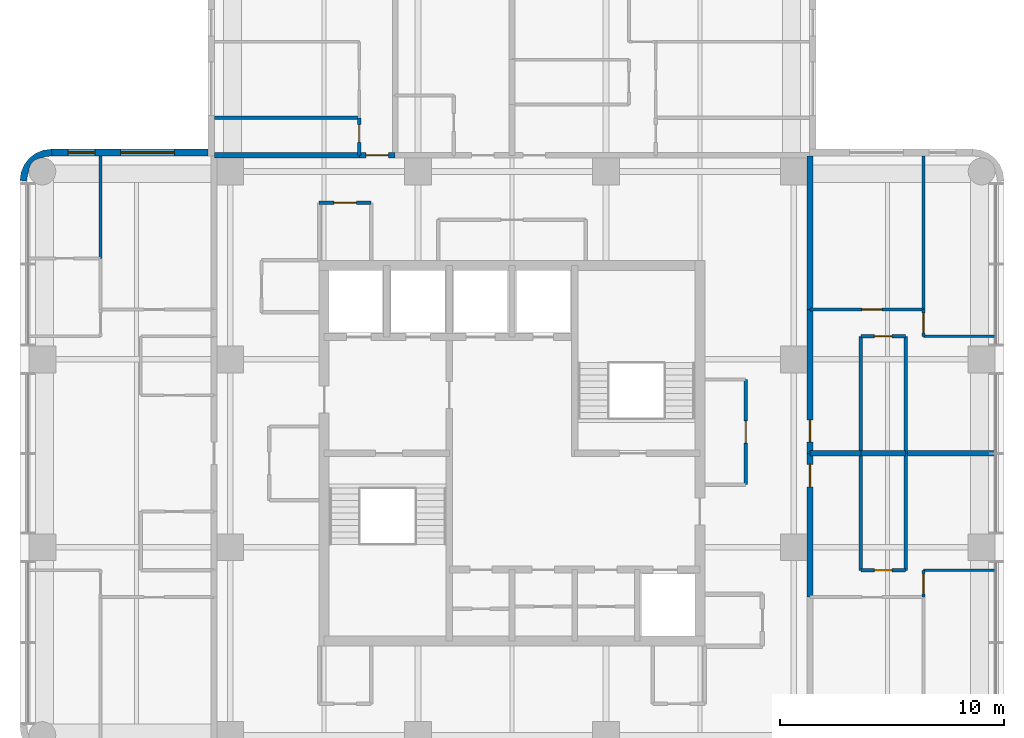
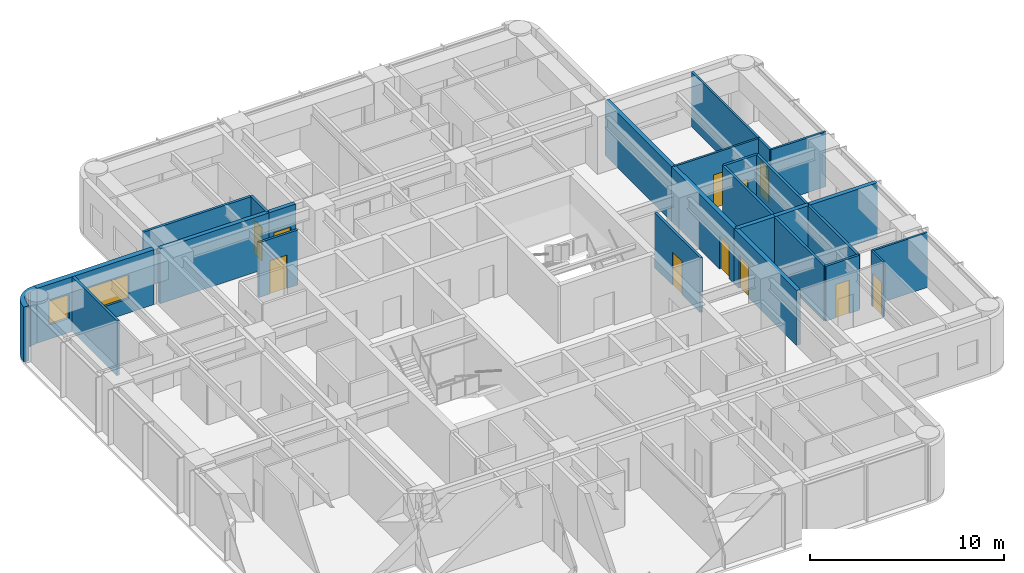
# One storey, part 7 of 10: 27 walls, 11 doors, 2 windows, 13 openings.
"""IFC4 building model written with IfcOpenShell, lengths in metres."""

from ifc_helpers import new_model, si_unit, direction, frame, frame_2d, origin, place, context, subcontext, project, spatial, polyline, rectangle, outline, extrude, material, layer, layer_set, type_object, element, fill, save


model = new_model("IFC4")

# Units and contexts
model_context = context("Model", 3, precision=1e-05, world=origin(), true_north=direction((0.0, 1.0)))
body_context = subcontext(model_context, "Body", "Model", "MODEL_VIEW")
ifc_project = project(units=[si_unit("LENGTHUNIT", "METRE"), si_unit("AREAUNIT", "SQUARE_METRE"), si_unit("VOLUMEUNIT", "CUBIC_METRE"), si_unit("PLANEANGLEUNIT", "RADIAN"), si_unit("MASSUNIT", "GRAM", prefix="KILO")], contexts=[model_context])

# Site, building, storey
site_placement = place(None, origin())
site = spatial("IfcSite", under=ifc_project, at=site_placement, CompositionType="ELEMENT")
building_placement = place(site_placement, origin())
building = spatial("IfcBuilding", under=site, at=building_placement, Name="Torre Alcanfor", CompositionType="ELEMENT")
storey_placement = place(building_placement, frame((0.0, 0.0, 272.10009765625)))
storey = spatial("IfcBuildingStorey", under=building, at=storey_placement, Name="L71", CompositionType="ELEMENT", Elevation=272.10009765625)

# Wall, opening, door
ifc_material_1 = material(Name="Concrete block masonry, hollow blocks NMX-C-404 9 MPa", Category="masonry")
ifc_layer_1 = layer(ifc_material_1, 0.25)
ifc_layer_set_1 = layer_set([ifc_layer_1], Name="Apartment entrance wall 250 EI 60")
wall_type_1 = type_object("IfcWallType", Name="Apartment entrance wall 250 EI 60", PredefinedType="PARTITIONING", material=ifc_layer_set_1)
wall_1_placement = place(storey_placement, frame((22.571044921875, 42.72509765625, 0.0), z_axis=(0.0, 0.0, 1.0), x_axis=(1.0, 0.0, 0.0)))
wall_1 = element("IfcWall", 1, at=wall_1_placement, inside=storey, type_object=wall_type_1, Name="Partition L71-CORR / L71-N1B-LIVING", PredefinedType="PARTITIONING", context=body_context, shape_type="SweptSolid", body=[
    extrude(rectangle(XDim=1.599853515625, YDim=0.25, at=frame_2d((0.7998046875, 0.0))), origin(), (0.0, 0.0, 1.0), 3.449951171875),
])
opening_1_placement = place(wall_1_placement, frame((0.300048828125, 0.0, 0.0)))
opening_1 = element("IfcOpeningElement", 2, at=opening_1_placement, cuts=wall_1, Name="Opening D-A1", PredefinedType="OPENING", context=body_context, shape_type="SweptSolid", body=[
    extrude(rectangle(XDim=1.0, YDim=2.10009765625, at=frame_2d((0.5, 1.050048828125))), frame((0.0, 0.135009765625, 0.0), z_axis=(0.0, -1.0, 0.0), x_axis=(1.0, 0.0, 0.0)), (0.0, 0.0, 1.0), 0.27001953125),
])
ifc_material_2 = material(Name="Galvanised steel sheet ASTM A653", Category="steel")
door_type_1 = type_object("IfcDoorType", Name="Apartment entrance door FD60 1000x2100", OperationType="SINGLE_SWING_LEFT", PredefinedType="DOOR", material=ifc_material_2)
door_1_placement = place(opening_1_placement, origin())
door_1 = element("IfcDoor", 3, at=door_1_placement, inside=storey, type_object=door_type_1, Name="Apartment entrance L71-N1B", OperationType="SINGLE_SWING_LEFT", OverallHeight=2.10009765625, OverallWidth=1.0, PredefinedType="DOOR", context=body_context, shape_type="SweptSolid", body=[
    extrude(rectangle(XDim=1.0, YDim=2.10009765625, at=frame_2d((0.5, 1.050048828125))), frame((0.0, 0.02490234375, 0.0), z_axis=(0.0, -1.0, 0.0), x_axis=(1.0, 0.0, 0.0)), (0.0, 0.0, 1.0), 0.050048828125),
])
fill(opening_1, door_1)

# Wall
wall_2_placement = place(storey_placement, frame((16.10009765625, 42.72509765625, 0.0), z_axis=(0.0, 0.0, 1.0), x_axis=(1.0, 0.0, 0.0)))
element("IfcWall", 4, at=wall_2_placement, inside=storey, type_object=wall_type_1, Name="Partition L71-CORR / L71-N1B-BATH", PredefinedType="PARTITIONING", context=body_context, shape_type="SweptSolid", body=[
    extrude(rectangle(XDim=6.470947265625, YDim=0.25, at=frame_2d((3.2353515625, 0.0))), origin(), (0.0, 0.0, 1.0), 3.449951171875),
])

# Wall, opening, door
wall_3_placement = place(storey_placement, frame((42.72509765625, 35.8291015625, 0.0), z_axis=(0.0, 0.0, 1.0), x_axis=(0.0, -1.0, 0.0)))
wall_3 = element("IfcWall", 5, at=wall_3_placement, inside=storey, type_object=wall_type_1, Name="Partition L71-CORR / L71-E1-LIVING", PredefinedType="PARTITIONING", context=body_context, shape_type="SweptSolid", body=[
    extrude(rectangle(XDim=6.42919921875, YDim=0.25, at=frame_2d((3.214599609375, 0.0))), origin(), (0.0, 0.0, 1.0), 3.449951171875),
])
opening_2_placement = place(wall_3_placement, frame((4.928955078125, 0.0, 0.0)))
opening_2 = element("IfcOpeningElement", 6, at=opening_2_placement, cuts=wall_3, Name="Opening D-A1", PredefinedType="OPENING", context=body_context, shape_type="SweptSolid", body=[
    extrude(rectangle(XDim=1.0, YDim=2.10009765625, at=frame_2d((0.5, 1.050048828125))), frame((0.0, 0.135009765625, 0.0), z_axis=(0.0, -1.0, 0.0), x_axis=(1.0, 0.0, 0.0)), (0.0, 0.0, 1.0), 0.27001953125),
])
door_2_placement = place(opening_2_placement, origin())
door_2 = element("IfcDoor", 7, at=door_2_placement, inside=storey, type_object=door_type_1, Name="Apartment entrance L71-E1", OperationType="SINGLE_SWING_RIGHT", OverallHeight=2.10009765625, OverallWidth=1.0, PredefinedType="DOOR", context=body_context, shape_type="SweptSolid", body=[
    extrude(rectangle(XDim=1.0, YDim=2.10009765625, at=frame_2d((0.5, 1.050048828125))), frame((0.0, 0.02490234375, 0.0), z_axis=(0.0, -1.0, 0.0), x_axis=(1.0, 0.0, 0.0)), (0.0, 0.0, 1.0), 0.050048828125),
])
fill(opening_2, door_2)

# Wall
wall_4_placement = place(storey_placement, frame((42.72509765625, 42.699951171875, 0.0), z_axis=(0.0, 0.0, 1.0), x_axis=(0.0, -1.0, 0.0)))
element("IfcWall", 8, at=wall_4_placement, inside=storey, type_object=wall_type_1, Name="Partition L71-CORR / L71-E1-BED2", PredefinedType="PARTITIONING", context=body_context, shape_type="SweptSolid", body=[
    extrude(rectangle(XDim=6.870849609375, YDim=0.25, at=frame_2d((3.435546875, 0.0))), origin(), (0.0, 0.0, 1.0), 3.449951171875),
])

# Wall, opening, door
wall_5_placement = place(storey_placement, frame((42.72509765625, 29.39990234375, 0.0), z_axis=(0.0, 0.0, 1.0), x_axis=(0.0, -1.0, 0.0)))
wall_5 = element("IfcWall", 9, at=wall_5_placement, inside=storey, type_object=wall_type_1, Name="Partition L71-CORR / L71-E2-LIVING", PredefinedType="PARTITIONING", context=body_context, shape_type="SweptSolid", body=[
    extrude(rectangle(XDim=6.428955078125, YDim=0.25, at=frame_2d((3.21435546875, 0.0))), origin(), (0.0, 0.0, 1.0), 3.449951171875),
])
opening_3_placement = place(wall_5_placement, frame((0.5, 0.0, 0.0)))
opening_3 = element("IfcOpeningElement", 10, at=opening_3_placement, cuts=wall_5, Name="Opening D-A1", PredefinedType="OPENING", context=body_context, shape_type="SweptSolid", body=[
    extrude(rectangle(XDim=1.0, YDim=2.10009765625, at=frame_2d((0.5, 1.050048828125))), frame((0.0, 0.135009765625, 0.0), z_axis=(0.0, -1.0, 0.0), x_axis=(1.0, 0.0, 0.0)), (0.0, 0.0, 1.0), 0.27001953125),
])
door_3_placement = place(opening_3_placement, origin())
door_3 = element("IfcDoor", 11, at=door_3_placement, inside=storey, type_object=door_type_1, Name="Apartment entrance L71-E2", OperationType="SINGLE_SWING_LEFT", OverallHeight=2.10009765625, OverallWidth=1.0, PredefinedType="DOOR", context=body_context, shape_type="SweptSolid", body=[
    extrude(rectangle(XDim=1.0, YDim=2.10009765625, at=frame_2d((0.5, 1.050048828125))), frame((0.0, 0.02490234375, 0.0), z_axis=(0.0, -1.0, 0.0), x_axis=(1.0, 0.0, 0.0)), (0.0, 0.0, 1.0), 0.050048828125),
])
fill(opening_3, door_3)

ifc_material_3 = material(Name="Gypsum board on steel studs", Category="steel")
ifc_layer_2 = layer(ifc_material_3, 0.1201171875)
ifc_layer_set_2 = layer_set([ifc_layer_2], Name="Apartment partition 120")
wall_type_2 = type_object("IfcWallType", Name="Apartment partition 120", PredefinedType="PARTITIONING", material=ifc_layer_set_2)
wall_6_placement = place(storey_placement, frame((42.72509765625, 35.8291015625, 0.0), z_axis=(0.0, 0.0, 1.0), x_axis=(1.0, 0.0, 0.0)))
wall_6 = element("IfcWall", 12, at=wall_6_placement, inside=storey, type_object=wall_type_2, Name="Partition L71-E1-LIVING / L71-E1-BED2", PredefinedType="PARTITIONING", context=body_context, shape_type="SweptSolid", body=[
    extrude(rectangle(XDim=5.074951171875, YDim=0.1201171875, at=frame_2d((2.53759765625, 0.0))), origin(), (0.0, 0.0, 1.0), 3.449951171875),
])
opening_4_placement = place(wall_6_placement, frame((2.324951171875, 0.0, 0.0)))
opening_4 = element("IfcOpeningElement", 13, at=opening_4_placement, cuts=wall_6, Name="Opening D-R1", PredefinedType="OPENING", context=body_context, shape_type="SweptSolid", body=[
    extrude(rectangle(XDim=0.89990234375, YDim=2.10009765625, at=frame_2d((0.449951171875, 1.050048828125))), frame((0.0, 0.070068359375, 0.0), z_axis=(0.0, -1.0, 0.0), x_axis=(1.0, 0.0, 0.0)), (0.0, 0.0, 1.0), 0.14013671875),
])
ifc_material_4 = material(Name="Timber", Category="wood")
door_type_2 = type_object("IfcDoorType", Name="Internal door 900x2100", OperationType="SINGLE_SWING_LEFT", PredefinedType="DOOR", material=ifc_material_4)
door_4_placement = place(opening_4_placement, origin())
door_4 = element("IfcDoor", 14, at=door_4_placement, inside=storey, type_object=door_type_2, Name="Door L71-E1 bed2", OperationType="SINGLE_SWING_RIGHT", OverallHeight=2.10009765625, OverallWidth=0.89990234375, PredefinedType="DOOR", context=body_context, shape_type="SweptSolid", body=[
    extrude(rectangle(XDim=0.89990234375, YDim=2.10009765625, at=frame_2d((0.449951171875, 1.050048828125))), frame((0.0, 0.02490234375, 0.0), z_axis=(0.0, -1.0, 0.0), x_axis=(1.0, 0.0, 0.0)), (0.0, 0.0, 1.0), 0.050048828125),
])
fill(opening_4, door_4)

wall_7_placement = place(storey_placement, frame((47.800048828125, 35.8291015625, 0.0), z_axis=(0.0, 0.0, 1.0), x_axis=(0.0, -1.0, 0.0)))
wall_7 = element("IfcWall", 15, at=wall_7_placement, inside=storey, type_object=wall_type_2, Name="Partition L71-E1-LIVING / L71-E1-MASTER", PredefinedType="PARTITIONING", context=body_context, shape_type="SweptSolid", body=[
    extrude(rectangle(XDim=1.2001953125, YDim=0.1201171875, at=frame_2d((0.60009765625, 0.0))), origin(), (0.0, 0.0, 1.0), 3.449951171875),
])
opening_5_placement = place(wall_7_placement, frame((0.14892578125, 0.0, 0.0)))
opening_5 = element("IfcOpeningElement", 16, at=opening_5_placement, cuts=wall_7, Name="Opening D-R1", PredefinedType="OPENING", context=body_context, shape_type="SweptSolid", body=[
    extrude(rectangle(XDim=0.89990234375, YDim=2.10009765625, at=frame_2d((0.449951171875, 1.050048828125))), frame((0.0, 0.070068359375, 0.0), z_axis=(0.0, -1.0, 0.0), x_axis=(1.0, 0.0, 0.0)), (0.0, 0.0, 1.0), 0.14013671875),
])
door_5_placement = place(opening_5_placement, origin())
door_5 = element("IfcDoor", 17, at=door_5_placement, inside=storey, type_object=door_type_2, Name="Door L71-E1 master", OperationType="SINGLE_SWING_RIGHT", OverallHeight=2.10009765625, OverallWidth=0.89990234375, PredefinedType="DOOR", context=body_context, shape_type="SweptSolid", body=[
    extrude(rectangle(XDim=0.89990234375, YDim=2.10009765625, at=frame_2d((0.449951171875, 1.050048828125))), frame((0.0, 0.02490234375, 0.0), z_axis=(0.0, -1.0, 0.0), x_axis=(1.0, 0.0, 0.0)), (0.0, 0.0, 1.0), 0.050048828125),
])
fill(opening_5, door_5)

# Walls
wall_8_placement = place(storey_placement, frame((47.800048828125, 34.62890625, 0.0), z_axis=(0.0, 0.0, 1.0), x_axis=(1.0, 0.0, 0.0)))
element("IfcWall", 18, at=wall_8_placement, inside=storey, type_object=wall_type_2, Name="Partition L71-E1-LIVING / L71-E1-MASTER", PredefinedType="PARTITIONING", context=body_context, shape_type="SweptSolid", body=[
    extrude(rectangle(XDim=3.25, YDim=0.1201171875, at=frame_2d((1.625, 0.0))), origin(), (0.0, 0.0, 1.0), 3.449951171875),
])
wall_9_placement = place(storey_placement, frame((47.800048828125, 35.8291015625, 0.0), z_axis=(0.0, 0.0, 1.0), x_axis=(0.0, 1.0, 0.0)))
element("IfcWall", 19, at=wall_9_placement, inside=storey, type_object=wall_type_2, Name="Partition L71-E1-BED2 / L71-E1-MASTER", PredefinedType="PARTITIONING", context=body_context, shape_type="SweptSolid", body=[
    extrude(rectangle(XDim=6.870849609375, YDim=0.1201171875, at=frame_2d((3.435546875, 0.0))), origin(), (0.0, 0.0, 1.0), 3.449951171875),
])
wall_10_placement = place(storey_placement, frame((51.050048828125, 24.1708984375, 0.0), z_axis=(0.0, 0.0, 1.0), x_axis=(-1.0, 0.0, 0.0)))
element("IfcWall", 20, at=wall_10_placement, inside=storey, type_object=wall_type_2, Name="Partition L71-E2-LIVING / L71-E2-MASTER", PredefinedType="PARTITIONING", context=body_context, shape_type="SweptSolid", body=[
    extrude(rectangle(XDim=3.25, YDim=0.1201171875, at=frame_2d((1.625, 0.0))), origin(), (0.0, 0.0, 1.0), 3.449951171875),
])

# Wall, opening, door
wall_11_placement = place(storey_placement, frame((47.800048828125, 24.1708984375, 0.0), z_axis=(0.0, 0.0, 1.0), x_axis=(0.0, -1.0, 0.0)))
wall_11 = element("IfcWall", 21, at=wall_11_placement, inside=storey, type_object=wall_type_2, Name="Partition L71-E2-LIVING / L71-E2-MASTER", PredefinedType="PARTITIONING", context=body_context, shape_type="SweptSolid", body=[
    extrude(rectangle(XDim=1.199951171875, YDim=0.1201171875, at=frame_2d((0.60009765625, 0.0))), origin(), (0.0, 0.0, 1.0), 3.449951171875),
])
opening_6_placement = place(wall_11_placement, frame((0.15087890625, 0.0, 0.0)))
opening_6 = element("IfcOpeningElement", 22, at=opening_6_placement, cuts=wall_11, Name="Opening D-R1", PredefinedType="OPENING", context=body_context, shape_type="SweptSolid", body=[
    extrude(rectangle(XDim=0.89990234375, YDim=2.10009765625, at=frame_2d((0.449951171875, 1.050048828125))), frame((0.0, 0.070068359375, 0.0), z_axis=(0.0, -1.0, 0.0), x_axis=(1.0, 0.0, 0.0)), (0.0, 0.0, 1.0), 0.14013671875),
])
door_6_placement = place(opening_6_placement, origin())
door_6 = element("IfcDoor", 23, at=door_6_placement, inside=storey, type_object=door_type_2, Name="Door L71-E2 master", OperationType="SINGLE_SWING_LEFT", OverallHeight=2.10009765625, OverallWidth=0.89990234375, PredefinedType="DOOR", context=body_context, shape_type="SweptSolid", body=[
    extrude(rectangle(XDim=0.89990234375, YDim=2.10009765625, at=frame_2d((0.449951171875, 1.050048828125))), frame((0.0, 0.02490234375, 0.0), z_axis=(0.0, -1.0, 0.0), x_axis=(1.0, 0.0, 0.0)), (0.0, 0.0, 1.0), 0.050048828125),
])
fill(opening_6, door_6)

# Wall, openings, windows
ifc_material_5 = material(Name="Limestone cladding", Category="masonry")
ifc_layer_3 = layer(ifc_material_5, 0.0400390625, Name="Facing")
ifc_material_6 = material(Name="Ventilated air cavity")
ifc_layer_4 = layer(ifc_material_6, 0.02001953125, ventilated=True, Name="Ventilated joint")
ifc_material_7 = material(Name="Mineral wool insulation", Category="insulation")
ifc_layer_5 = layer(ifc_material_7, 0.10009765625, Name="Insulation")
ifc_material_8 = material(Name="Concrete f'c 35 MPa", Category="concrete")
ifc_layer_6 = layer(ifc_material_8, 0.139892578125, Name="Backing")
ifc_layer_set_3 = layer_set([ifc_layer_3, ifc_layer_4, ifc_layer_5, ifc_layer_6], Name="External wall stone-clad 300")
wall_type_3 = type_object("IfcWallType", Name="External wall stone-clad 300", PredefinedType="SOLIDWALL", material=ifc_layer_set_3)
wall_12_placement = place(storey_placement, frame((15.800048828125, 42.85009765625, 0.0), z_axis=(0.0, 0.0, 1.0), x_axis=(-1.0, 0.0, 0.0)))
wall_12 = element("IfcWall", 24, at=wall_12_placement, inside=storey, type_object=wall_type_3, Name="External wall L71 1", PredefinedType="SOLIDWALL", context=body_context, shape_type="SweptSolid", body=[
    extrude(rectangle(XDim=7.0, YDim=0.300048828125, at=frame_2d((3.5, 0.0))), origin(), (0.0, 0.0, 1.0), 3.449951171875),
])
opening_7_placement = place(wall_12_placement, frame((1.5, 0.0, 0.89990234375)))
opening_7 = element("IfcOpeningElement", 25, at=opening_7_placement, cuts=wall_12, Name="Opening W1", PredefinedType="OPENING", context=body_context, shape_type="SweptSolid", body=[
    extrude(rectangle(XDim=2.39990234375, YDim=1.5, at=frame_2d((1.199951171875, 0.75))), frame((0.0, 0.159912109375, 0.0), z_axis=(0.0, -1.0, 0.0), x_axis=(1.0, 0.0, 0.0)), (0.0, 0.0, 1.0), 0.320068359375),
])
opening_8_placement = place(wall_12_placement, frame((5.050048828125, 0.0, 0.89990234375)))
opening_8 = element("IfcOpeningElement", 26, at=opening_8_placement, cuts=wall_12, Name="Opening W4", PredefinedType="OPENING", context=body_context, shape_type="SweptSolid", body=[
    extrude(rectangle(XDim=1.199951171875, YDim=1.5, at=frame_2d((0.60009765625, 0.75))), frame((0.0, 0.159912109375, 0.0), z_axis=(0.0, -1.0, 0.0), x_axis=(1.0, 0.0, 0.0)), (0.0, 0.0, 1.0), 0.320068359375),
])
ifc_material_9 = material(Name="Aluminium frame with clear double glazing", Category="aluminium")
window_type_1 = type_object("IfcWindowType", Name="Window bedroom 1200x1500", PartitioningType="SINGLE_PANEL", PredefinedType="WINDOW", material=ifc_material_9)
window_1_placement = place(opening_8_placement, origin())
window_1 = element("IfcWindow", 27, at=window_1_placement, inside=storey, type_object=window_type_1, Name="Window W4 L71-W2", OverallHeight=1.5, OverallWidth=1.199951171875, PartitioningType="SINGLE_PANEL", PredefinedType="WINDOW", context=body_context, shape_type="SweptSolid", body=[
    extrude(rectangle(XDim=1.199951171875, YDim=1.5, at=frame_2d((0.60009765625, 0.75))), frame((0.0, 0.030029296875, 0.0), z_axis=(0.0, -1.0, 0.0), x_axis=(1.0, 0.0, 0.0)), (0.0, 0.0, 1.0), 0.06005859375),
])
fill(opening_8, window_1)
ifc_material_10 = material(Name="Aluminium frame with clear double glazing", Category="aluminium")
window_type_2 = type_object("IfcWindowType", Name="Window bedroom 2400x1500", PartitioningType="SINGLE_PANEL", PredefinedType="WINDOW", material=ifc_material_10)
window_2_placement = place(opening_7_placement, origin())
window_2 = element("IfcWindow", 28, at=window_2_placement, inside=storey, type_object=window_type_2, Name="Window W1 L71-W2", OverallHeight=1.5, OverallWidth=2.39990234375, PartitioningType="SINGLE_PANEL", PredefinedType="WINDOW", context=body_context, shape_type="SweptSolid", body=[
    extrude(rectangle(XDim=2.39990234375, YDim=1.5, at=frame_2d((1.199951171875, 0.75))), frame((0.0, 0.030029296875, 0.0), z_axis=(0.0, -1.0, 0.0), x_axis=(1.0, 0.0, 0.0)), (0.0, 0.0, 1.0), 0.06005859375),
])
fill(opening_7, window_2)

# Walls
ifc_material_11 = material(Name="Concrete block masonry, hollow blocks NMX-C-404 9 MPa", Category="masonry")
ifc_layer_7 = layer(ifc_material_11, 0.25)
ifc_layer_set_4 = layer_set([ifc_layer_7], Name="Party wall 250 EI 60")
wall_type_4 = type_object("IfcWallType", Name="Party wall 250 EI 60", PredefinedType="PARTITIONING", material=ifc_layer_set_4)
wall_13_placement = place(storey_placement, frame((45.0, 29.39990234375, 0.0), z_axis=(0.0, 0.0, 1.0), x_axis=(1.0, 0.0, 0.0)))
element("IfcWall", 29, at=wall_13_placement, inside=storey, type_object=wall_type_4, Name="Partition L71-E1-BATH / L71-E2-BATH", PredefinedType="PARTITIONING", context=body_context, shape_type="SweptSolid", body=[
    extrude(rectangle(XDim=2.0, YDim=0.25, at=frame_2d((1.0, 0.0))), origin(), (0.0, 0.0, 1.0), 3.449951171875),
])
wall_14_placement = place(storey_placement, frame((45.0, 29.39990234375, 0.0), z_axis=(0.0, 0.0, 1.0), x_axis=(-1.0, 0.0, 0.0)))
element("IfcWall", 30, at=wall_14_placement, inside=storey, type_object=wall_type_4, Name="Partition L71-E1-LIVING / L71-E2-LIVING", PredefinedType="PARTITIONING", context=body_context, shape_type="SweptSolid", body=[
    extrude(rectangle(XDim=2.27490234375, YDim=0.25, at=frame_2d((1.137451171875, 0.0))), origin(), (0.0, 0.0, 1.0), 3.449951171875),
])
wall_15_placement = place(storey_placement, frame((51.050048828125, 29.39990234375, 0.0), z_axis=(0.0, 0.0, 1.0), x_axis=(-1.0, 0.0, 0.0)))
element("IfcWall", 31, at=wall_15_placement, inside=storey, type_object=wall_type_4, Name="Partition L71-E1-LIVING / L71-E2-LIVING", PredefinedType="PARTITIONING", context=body_context, shape_type="SweptSolid", body=[
    extrude(rectangle(XDim=4.050048828125, YDim=0.25, at=frame_2d((2.02490234375, 0.0))), origin(), (0.0, 0.0, 1.0), 3.449951171875),
])

# Wall, opening, door
ifc_material_12 = material(Name="Concrete block masonry, hollow blocks NMX-C-404 9 MPa", Category="masonry")
ifc_layer_8 = layer(ifc_material_12, 0.14990234375)
ifc_layer_set_5 = layer_set([ifc_layer_8], Name="Residents' room partition 150")
wall_type_5 = type_object("IfcWallType", Name="Residents' room partition 150", PredefinedType="PARTITIONING", material=ifc_layer_set_5)
wall_16_placement = place(storey_placement, frame((23.10009765625, 40.60009765625, 0.0), z_axis=(0.0, 0.0, 1.0), x_axis=(-1.0, 0.0, 0.0)))
wall_16 = element("IfcWall", 32, at=wall_16_placement, inside=storey, type_object=wall_type_5, Name="Partition L71-CORR / L71-G01", PredefinedType="PARTITIONING", context=body_context, shape_type="SweptSolid", body=[
    extrude(rectangle(XDim=2.3251953125, YDim=0.14990234375, at=frame_2d((1.16259765625, 0.0))), origin(), (0.0, 0.0, 1.0), 3.449951171875),
])
opening_9_placement = place(wall_16_placement, frame((0.66259765625, 0.0, 0.0)))
opening_9 = element("IfcOpeningElement", 33, at=opening_9_placement, cuts=wall_16, Name="Opening D-M1", PredefinedType="OPENING", context=body_context, shape_type="SweptSolid", body=[
    extrude(rectangle(XDim=1.0, YDim=2.10009765625, at=frame_2d((0.5, 1.050048828125))), frame((0.0, 0.0849609375, 0.0), z_axis=(0.0, -1.0, 0.0), x_axis=(1.0, 0.0, 0.0)), (0.0, 0.0, 1.0), 0.169921875),
])
ifc_material_13 = material(Name="Timber", Category="wood")
door_type_3 = type_object("IfcDoorType", Name="Residents' room door 1000x2100", OperationType="SINGLE_SWING_LEFT", PredefinedType="DOOR", material=ifc_material_13)
door_7_placement = place(opening_9_placement, origin())
door_7 = element("IfcDoor", 34, at=door_7_placement, inside=storey, type_object=door_type_3, Name="Door L71-G01 parcel room", OperationType="SINGLE_SWING_LEFT", OverallHeight=2.10009765625, OverallWidth=1.0, PredefinedType="DOOR", context=body_context, shape_type="SweptSolid", body=[
    extrude(rectangle(XDim=1.0, YDim=2.10009765625, at=frame_2d((0.5, 1.050048828125))), frame((0.0, 0.02490234375, 0.0), z_axis=(0.0, -1.0, 0.0), x_axis=(1.0, 0.0, 0.0)), (0.0, 0.0, 1.0), 0.050048828125),
])
fill(opening_9, door_7)

wall_17_placement = place(storey_placement, frame((39.85009765625, 28.0, 0.0), z_axis=(0.0, 0.0, 1.0), x_axis=(0.0, 1.0, 0.0)))
wall_17 = element("IfcWall", 35, at=wall_17_placement, inside=storey, type_object=wall_type_5, Name="Partition L71-CORR / L71-G04", PredefinedType="PARTITIONING", context=body_context, shape_type="SweptSolid", body=[
    extrude(rectangle(XDim=4.699951171875, YDim=0.14990234375, at=frame_2d((2.35009765625, 0.0))), origin(), (0.0, 0.0, 1.0), 3.449951171875),
])
opening_10_placement = place(wall_17_placement, frame((1.85009765625, 0.0, 0.0)))
opening_10 = element("IfcOpeningElement", 36, at=opening_10_placement, cuts=wall_17, Name="Opening D-M1", PredefinedType="OPENING", context=body_context, shape_type="SweptSolid", body=[
    extrude(rectangle(XDim=1.0, YDim=2.10009765625, at=frame_2d((0.5, 1.050048828125))), frame((0.0, 0.0849609375, 0.0), z_axis=(0.0, -1.0, 0.0), x_axis=(1.0, 0.0, 0.0)), (0.0, 0.0, 1.0), 0.169921875),
])
door_8_placement = place(opening_10_placement, origin())
door_8 = element("IfcDoor", 37, at=door_8_placement, inside=storey, type_object=door_type_3, Name="Door L71-G04 linen store", OperationType="SINGLE_SWING_LEFT", OverallHeight=2.10009765625, OverallWidth=1.0, PredefinedType="DOOR", context=body_context, shape_type="SweptSolid", body=[
    extrude(rectangle(XDim=1.0, YDim=2.10009765625, at=frame_2d((0.5, 1.050048828125))), frame((0.0, 0.02490234375, 0.0), z_axis=(0.0, -1.0, 0.0), x_axis=(1.0, 0.0, 0.0)), (0.0, 0.0, 1.0), 0.050048828125),
])
fill(opening_10, door_8)

# Wall
ifc_layer_9 = layer(ifc_material_5, 0.0400390625, Name="Facing")
ifc_layer_10 = layer(ifc_material_6, 0.02001953125, ventilated=True, Name="Ventilated joint")
ifc_layer_11 = layer(ifc_material_7, 0.10009765625, Name="Insulation")
ifc_layer_12 = layer(ifc_material_8, 0.139892578125, Name="Backing")
ifc_layer_set_6 = layer_set([ifc_layer_9, ifc_layer_10, ifc_layer_11, ifc_layer_12], Name="Rounded corner pier stone-clad 300")
wall_type_6 = type_object("IfcWallType", Name="Rounded corner pier stone-clad 300", PredefinedType="SOLIDWALL", material=ifc_layer_set_6)
wall_18_placement = place(storey_placement, frame((8.761581746, 42.575898117, 0.0), z_axis=(0.0, 0.0, 1.0), x_axis=(-0.707106781187, 0.707106781187, 0.0)))
element("IfcWall", 38, at=wall_18_placement, inside=storey, type_object=wall_type_6, Name="Corner pier L71 13", PredefinedType="SOLIDWALL", context=body_context, shape_type="SweptSolid", body=[
    extrude(outline(polyline([(0.23297927971509194, 0.11416555226925892), (0.04670774238592084, -0.12872977027211618), (0.032551796082869844, -0.1428857165751672), (0.27268498276023495, -0.32708565200633083), (0.49520955330453675, -0.03723401977678656), (0.6350426814200405, 0.3004370895984301), (0.6826895250742122, 0.6629674217497361), (0.6350426814200405, 1.025152486918041), (0.49520955330453664, 1.3628235962932576), (0.27285761625173566, 1.6528478620143026), (0.032724429574370495, 1.468647926583139), (0.0467077423859209, 1.4546646137715884), (0.23315191320659262, 1.2115966577387127), (0.29219256729980525, 1.0690013937591991), (0.3577932940700416, 1.0034006669889626), (0.44946167805687187, 0.7826024313596671), (0.44946167805687187, 0.5433324121398051), (0.3579659275615422, 0.322361543019009), (0.29219256729980525, 0.256588182757272), (0.23297927971509194, 0.11416555226925892)])), origin(), (0.0, 0.0, 1.0), 3.449951171875),
])

# Wall, opening, door
ifc_material_14 = material(Name="Cement board on steel studs", Category="steel")
ifc_layer_13 = layer(ifc_material_14, 0.14990234375)
ifc_layer_set_7 = layer_set([ifc_layer_13], Name="Wet area partition 150")
wall_type_7 = type_object("IfcWallType", Name="Wet area partition 150", PredefinedType="PARTITIONING", material=ifc_layer_set_7)
wall_19_placement = place(storey_placement, frame((22.571044921875, 42.72509765625, 0.0), z_axis=(0.0, 0.0, 1.0), x_axis=(0.0, 1.0, 0.0)))
wall_19 = element("IfcWall", 39, at=wall_19_placement, inside=storey, type_object=wall_type_7, Name="Partition L71-N1B-LIVING / L71-N1B-BATH", PredefinedType="PARTITIONING", context=body_context, shape_type="SweptSolid", body=[
    extrude(rectangle(XDim=1.6748046875, YDim=0.14990234375, at=frame_2d((0.83740234375, 0.0))), origin(), (0.0, 0.0, 1.0), 3.449951171875),
])
opening_11_placement = place(wall_19_placement, frame((0.574951171875, 0.0, 0.0)))
opening_11 = element("IfcOpeningElement", 40, at=opening_11_placement, cuts=wall_19, Name="Opening D-R2", PredefinedType="OPENING", context=body_context, shape_type="SweptSolid", body=[
    extrude(rectangle(XDim=0.800048828125, YDim=2.10009765625, at=frame_2d((0.39990234375, 1.050048828125))), frame((0.0, 0.0849609375, 0.0), z_axis=(0.0, -1.0, 0.0), x_axis=(1.0, 0.0, 0.0)), (0.0, 0.0, 1.0), 0.169921875),
])
ifc_material_15 = material(Name="Timber", Category="wood")
door_type_4 = type_object("IfcDoorType", Name="Bathroom door 800x2100", OperationType="SINGLE_SWING_LEFT", PredefinedType="DOOR", material=ifc_material_15)
door_9_placement = place(opening_11_placement, origin())
door_9 = element("IfcDoor", 41, at=door_9_placement, inside=storey, type_object=door_type_4, Name="Door L71-N1B bath", OperationType="SINGLE_SWING_RIGHT", OverallHeight=2.10009765625, OverallWidth=0.800048828125, PredefinedType="DOOR", context=body_context, shape_type="SweptSolid", body=[
    extrude(rectangle(XDim=0.800048828125, YDim=2.10009765625, at=frame_2d((0.39990234375, 1.050048828125))), frame((0.0, 0.02490234375, 0.0), z_axis=(0.0, -1.0, 0.0), x_axis=(1.0, 0.0, 0.0)), (0.0, 0.0, 1.0), 0.050048828125),
])
fill(opening_11, door_9)

# Walls
wall_20_placement = place(storey_placement, frame((22.571044921875, 44.39990234375, 0.0), z_axis=(0.0, 0.0, 1.0), x_axis=(-1.0, 0.0, 0.0)))
element("IfcWall", 42, at=wall_20_placement, inside=storey, type_object=wall_type_7, Name="Partition L71-N1B-BATH / L71-N1B-MASTER", PredefinedType="PARTITIONING", context=body_context, shape_type="SweptSolid", body=[
    extrude(rectangle(XDim=6.470947265625, YDim=0.14990234375, at=frame_2d((3.2353515625, 0.0))), origin(), (0.0, 0.0, 1.0), 3.449951171875),
])
wall_21_placement = place(storey_placement, frame((47.0, 29.39990234375, 0.0), z_axis=(0.0, 0.0, 1.0), x_axis=(0.0, 1.0, 0.0)))
element("IfcWall", 43, at=wall_21_placement, inside=storey, type_object=wall_type_7, Name="Partition L71-E1-BATH / L71-E1-LIVING", PredefinedType="PARTITIONING", context=body_context, shape_type="SweptSolid", body=[
    extrude(rectangle(XDim=5.22900390625, YDim=0.14990234375, at=frame_2d((2.614501953125, 0.0))), origin(), (0.0, 0.0, 1.0), 3.449951171875),
])

# Wall, opening, door
wall_22_placement = place(storey_placement, frame((47.0, 34.62890625, 0.0), z_axis=(0.0, 0.0, 1.0), x_axis=(-1.0, 0.0, 0.0)))
wall_22 = element("IfcWall", 44, at=wall_22_placement, inside=storey, type_object=wall_type_7, Name="Partition L71-E1-BATH / L71-E1-LIVING", PredefinedType="PARTITIONING", context=body_context, shape_type="SweptSolid", body=[
    extrude(rectangle(XDim=2.0, YDim=0.14990234375, at=frame_2d((1.0, 0.0))), origin(), (0.0, 0.0, 1.0), 3.449951171875),
])
opening_12_placement = place(wall_22_placement, frame((0.60009765625, 0.0, 0.0)))
opening_12 = element("IfcOpeningElement", 45, at=opening_12_placement, cuts=wall_22, Name="Opening D-R2", PredefinedType="OPENING", context=body_context, shape_type="SweptSolid", body=[
    extrude(rectangle(XDim=0.800048828125, YDim=2.10009765625, at=frame_2d((0.39990234375, 1.050048828125))), frame((0.0, 0.0849609375, 0.0), z_axis=(0.0, -1.0, 0.0), x_axis=(1.0, 0.0, 0.0)), (0.0, 0.0, 1.0), 0.169921875),
])
door_10_placement = place(opening_12_placement, origin())
door_10 = element("IfcDoor", 46, at=door_10_placement, inside=storey, type_object=door_type_4, Name="Door L71-E1 bath", OperationType="SINGLE_SWING_LEFT", OverallHeight=2.10009765625, OverallWidth=0.800048828125, PredefinedType="DOOR", context=body_context, shape_type="SweptSolid", body=[
    extrude(rectangle(XDim=0.800048828125, YDim=2.10009765625, at=frame_2d((0.39990234375, 1.050048828125))), frame((0.0, 0.02490234375, 0.0), z_axis=(0.0, -1.0, 0.0), x_axis=(1.0, 0.0, 0.0)), (0.0, 0.0, 1.0), 0.050048828125),
])
fill(opening_12, door_10)

# Walls
for number, where, z_axis, x_axis, name in (
    (47, (45.0, 34.62890625, 0.0), (0.0, 0.0, 1.0), (0.0, -1.0, 0.0), "Partition L71-E1-BATH / L71-E1-LIVING"),
    (48, (47.0, 29.39990234375, 0.0), (0.0, 0.0, 1.0), (0.0, -1.0, 0.0), "Partition L71-E2-BATH / L71-E2-LIVING"),
):
    element("IfcWall", number, at=place(storey_placement, frame(where, z_axis=z_axis, x_axis=x_axis)), inside=storey, type_object=wall_type_7, Name=name, PredefinedType="PARTITIONING", context=body_context, shape_type="SweptSolid", body=[
        extrude(rectangle(XDim=5.22900390625, YDim=0.14990234375, at=frame_2d((2.614501953125, 0.0))), origin(), (0.0, 0.0, 1.0), 3.449951171875),
    ])

# Wall, opening, door
wall_23_placement = place(storey_placement, frame((47.0, 24.1708984375, 0.0), z_axis=(0.0, 0.0, 1.0), x_axis=(-1.0, 0.0, 0.0)))
wall_23 = element("IfcWall", 49, at=wall_23_placement, inside=storey, type_object=wall_type_7, Name="Partition L71-E2-BATH / L71-E2-LIVING", PredefinedType="PARTITIONING", context=body_context, shape_type="SweptSolid", body=[
    extrude(rectangle(XDim=2.0, YDim=0.14990234375, at=frame_2d((1.0, 0.0))), origin(), (0.0, 0.0, 1.0), 3.449951171875),
])
opening_13_placement = place(wall_23_placement, frame((0.60009765625, 0.0, 0.0)))
opening_13 = element("IfcOpeningElement", 50, at=opening_13_placement, cuts=wall_23, Name="Opening D-R2", PredefinedType="OPENING", context=body_context, shape_type="SweptSolid", body=[
    extrude(rectangle(XDim=0.800048828125, YDim=2.10009765625, at=frame_2d((0.39990234375, 1.050048828125))), frame((0.0, 0.0849609375, 0.0), z_axis=(0.0, -1.0, 0.0), x_axis=(1.0, 0.0, 0.0)), (0.0, 0.0, 1.0), 0.169921875),
])
door_11_placement = place(opening_13_placement, frame((0.800048828125, 0.0, 0.0), z_axis=(0.0, 0.0, 1.0), x_axis=(-1.0, 0.0, 0.0)))
door_11 = element("IfcDoor", 51, at=door_11_placement, inside=storey, type_object=door_type_4, Name="Door L71-E2 bath", OperationType="SINGLE_SWING_RIGHT", OverallHeight=2.10009765625, OverallWidth=0.800048828125, PredefinedType="DOOR", context=body_context, shape_type="SweptSolid", body=[
    extrude(rectangle(XDim=0.800048828125, YDim=2.10009765625, at=frame_2d((0.400146484375, 1.050048828125))), frame((0.0, 0.025146484375, 0.0), z_axis=(0.0, -1.0, 0.0), x_axis=(1.0, 0.0, 0.0)), (0.0, 0.0, 1.0), 0.050048828125),
])
fill(opening_13, door_11)

# Walls
wall_24_placement = place(storey_placement, frame((45.0, 24.1708984375, 0.0), z_axis=(0.0, 0.0, 1.0), x_axis=(0.0, 1.0, 0.0)))
element("IfcWall", 52, at=wall_24_placement, inside=storey, type_object=wall_type_7, Name="Partition L71-E2-BATH / L71-E2-LIVING", PredefinedType="PARTITIONING", context=body_context, shape_type="SweptSolid", body=[
    extrude(rectangle(XDim=5.22900390625, YDim=0.14990234375, at=frame_2d((2.614501953125, 0.0))), origin(), (0.0, 0.0, 1.0), 3.449951171875),
])
wall_25_placement = place(storey_placement, frame((11.0, 42.699951171875, 0.0), z_axis=(0.0, 0.0, 1.0), x_axis=(0.0, -1.0, 0.0)))
element("IfcWall", 53, at=wall_25_placement, inside=storey, type_object=wall_type_7, Name="Partition L71-WX-BED3 / L71-WX-BATH1", PredefinedType="PARTITIONING", context=body_context, shape_type="SweptSolid", body=[
    extrude(rectangle(XDim=4.5859375, YDim=0.14990234375, at=frame_2d((2.29296875, 0.0))), origin(), (0.0, 0.0, 1.0), 3.449951171875),
])

save(model, "model.ifc")
